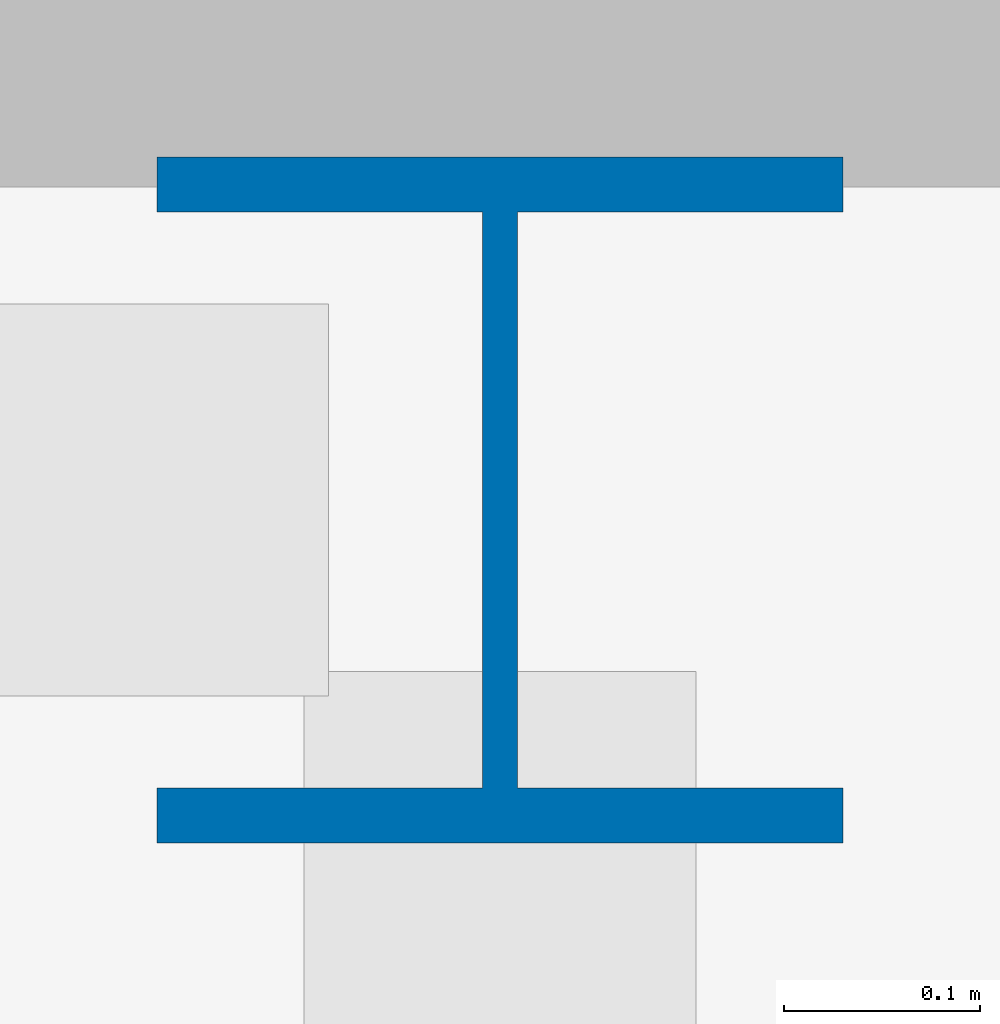
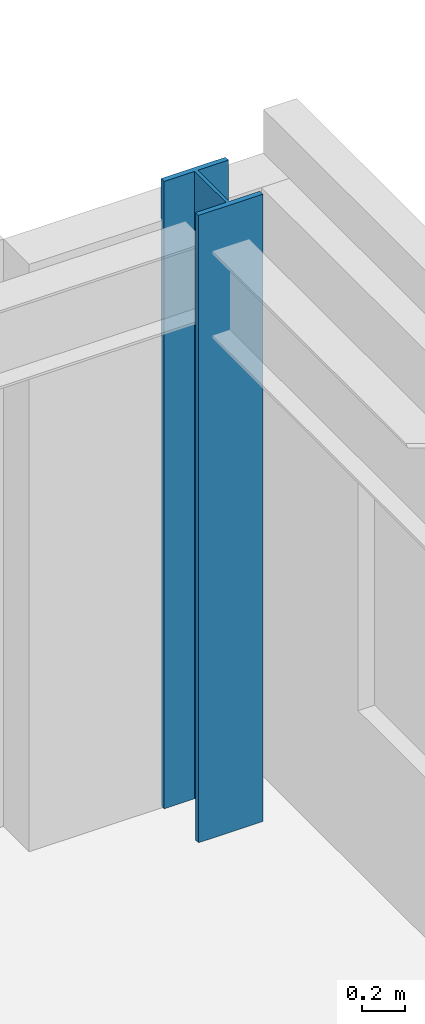
# One storey, part 4 of 23: 1 column.
"""IFC4 building model written with IfcOpenShell, lengths in metres."""

from ifc_helpers import new_model, si_unit, direction, frame, origin, origin_2d, place, context, subcontext, project, spatial, i_section, extrude, source, transform, mapped, material, material_profile, profile_set, type_object, element, save


model = new_model("IFC4")

# Units and contexts
model_context = context("Model", 3, precision=1e-05, world=origin(), true_north=direction((0.0, 1.0)))
body_context = subcontext(model_context, "Body", "Model", "MODEL_VIEW")
ifc_project = project(units=[si_unit("LENGTHUNIT", "METRE"), si_unit("AREAUNIT", "SQUARE_METRE"), si_unit("VOLUMEUNIT", "CUBIC_METRE"), si_unit("PLANEANGLEUNIT", "RADIAN"), si_unit("MASSUNIT", "GRAM", prefix="KILO")], contexts=[model_context])

# Site, building, storey
site_placement = place(None, origin())
site = spatial("IfcSite", under=ifc_project, at=site_placement, CompositionType="ELEMENT")
building_placement = place(site_placement, origin())
building = spatial("IfcBuilding", under=site, at=building_placement, Name="Trelvane Seafront Commons", CompositionType="ELEMENT")
storey_placement = place(building_placement, frame((0.0, 0.0, 263.10009765625)))
storey = spatial("IfcBuildingStorey", under=building, at=storey_placement, Name="L68", CompositionType="ELEMENT", Elevation=263.10009765625)

# Column
ifc_material = material(Name="Steel SM355 (S355)", Category="steel")
ifc_material_profile = material_profile(ifc_material, i_section(OverallWidth=0.35009765625, OverallDepth=0.35009765625, WebThickness=0.01806640625, FlangeThickness=0.028076171875, at=origin_2d()), Name="HD-350x350x18x28")
ifc_profile_set = profile_set([ifc_material_profile], Name="Steel SM355 (S355)")
column_type = type_object("IfcColumnType", Name="STR-COL-HD350", PredefinedType="COLUMN", material=ifc_profile_set)
shared_shape = source(origin(), body_context, "Body", "SweptSolid", [
    extrude(i_section(OverallWidth=0.35009765625, OverallDepth=0.35009765625, WebThickness=0.01806640625, FlangeThickness=0.028076171875, at=origin_2d()), origin(), (0.0, 0.0, 1.0), 3.599853515625),
])
column_placement = place(storey_placement, frame((65.60009765625, 45.10009765625, 0.0), z_axis=(0.0, 0.0, 1.0), x_axis=(1.0, 0.0, 0.0)))
element("IfcColumn", 1, at=column_placement, inside=storey, type_object=column_type, Name="L68 Column TC-CN65.6", PredefinedType="COLUMN", context=body_context, shape_type="MappedRepresentation", body=[
    mapped(shared_shape, transform((0.0, 0.0, 0.0), x_axis=(1.0, 0.0, 0.0), y_axis=(0.0, 1.0, 0.0), z_axis=(0.0, 0.0, 1.0), scale=1.0)),
])

save(model, "model.ifc")
